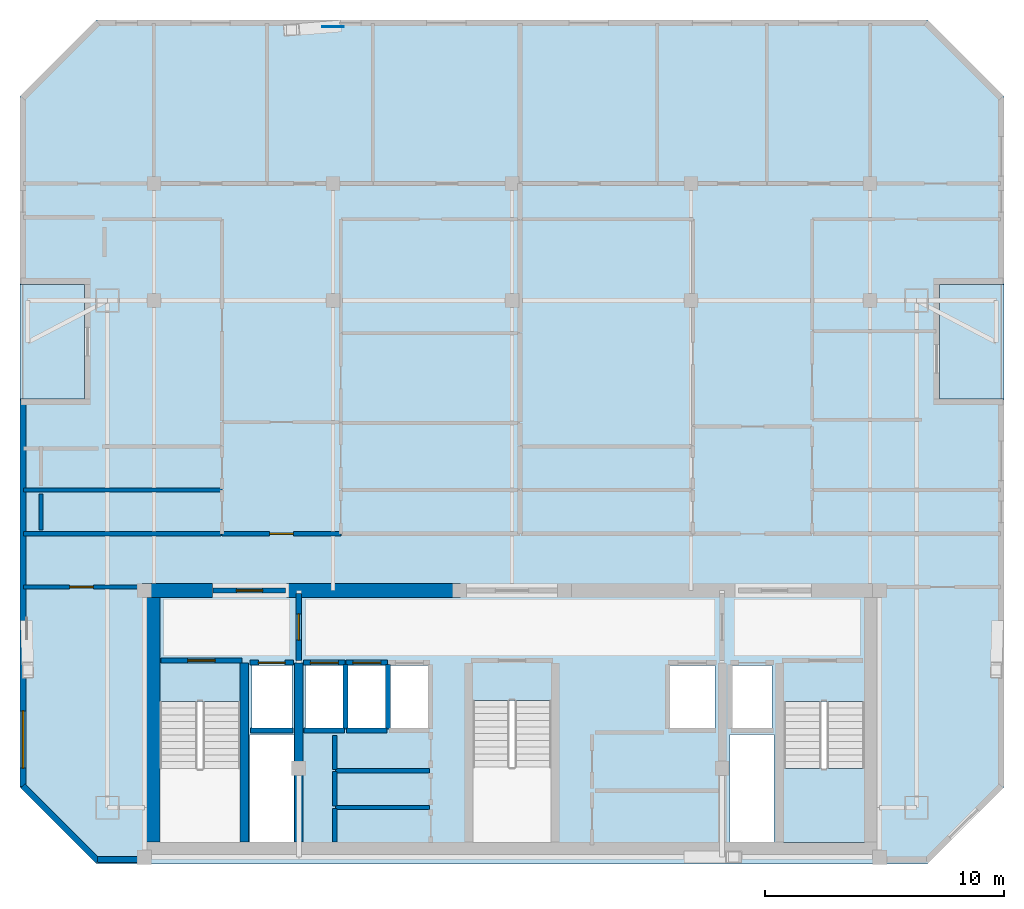
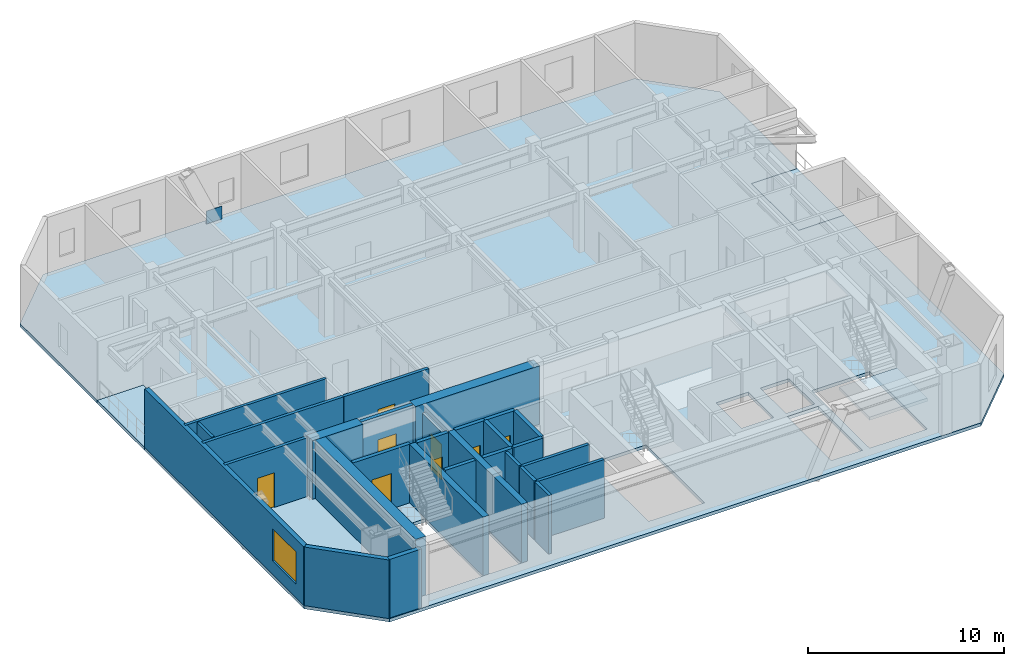
# One storey, part 2 of 7: 29 walls, 8 doors, 4 slabs, 1 plate, 1 window, 9 openings, 1 element without a shape of its own.
"""IFC4 building model written with IfcOpenShell, lengths in metres."""

from ifc_helpers import new_model, si_unit, direction, frame, frame_2d, origin, origin_2d, place, context, subcontext, project, spatial, polyline, rectangle, outline, extrude, material, layer, layer_set, type_object, element, fill, aggregate, save


model = new_model("IFC4")

# Units and contexts
model_context = context("Model", 3, precision=1e-05, world=origin(), true_north=direction((0.0, 1.0)))
body_context = subcontext(model_context, "Body", "Model", "MODEL_VIEW")
ifc_project = project(units=[si_unit("LENGTHUNIT", "METRE"), si_unit("AREAUNIT", "SQUARE_METRE"), si_unit("VOLUMEUNIT", "CUBIC_METRE"), si_unit("PLANEANGLEUNIT", "RADIAN"), si_unit("MASSUNIT", "GRAM", prefix="KILO")], contexts=[model_context])

# Site, building, storey
site_placement = place(None, origin())
site = spatial("IfcSite", under=ifc_project, at=site_placement, CompositionType="ELEMENT")
building_placement = place(site_placement, origin())
building = spatial("IfcBuilding", under=site, at=building_placement, Name="Ventersveld Concourse Tower", CompositionType="ELEMENT")
storey_placement = place(building_placement, frame((0.0, 0.0, 268.300048828125)))
storey = spatial("IfcBuildingStorey", under=building, at=storey_placement, Name="L66", CompositionType="ELEMENT", Elevation=268.300048828125)

# Plate
ifc_material_1 = material(Name="Structural steel S355J2", Category="steel")
ifc_layer_1 = layer(ifc_material_1, 0.030029296875)
ifc_layer_set_1 = layer_set([ifc_layer_1], Name="Structural steel S355J2")
plate_type = type_object("IfcPlateType", Name="PL-CAP-30", PredefinedType="USERDEFINED", material=ifc_layer_set_1)
plate_placement = place(storey_placement, frame((21.25, 35.0693359375, -0.10009765625), z_axis=(0.0, 0.0, 1.0), x_axis=(1.0, 0.0, 0.0)))
element("IfcPlate", 1, at=plate_placement, inside=storey, type_object=plate_type, Name="L66 Mega-Brace Gusset Node Plate M16-N", ObjectType="GUSSET_PLATE", PredefinedType="USERDEFINED", context=body_context, shape_type="SweptSolid", body=[
    extrude(rectangle(XDim=0.89990234375, YDim=0.030029296875, at=origin_2d()), origin(), (0.0, 0.0, 1.0), 0.89990234375),
])

# Slabs
ifc_material_2 = material(Name="Concrete C50/60", Category="concrete")
ifc_layer_2 = layer(ifc_material_2, 0.199951171875)
ifc_layer_set_2 = layer_set([ifc_layer_2], Name="Concrete C50/60")
slab_type_1 = type_object("IfcSlabType", Name="SL-FLR-200", PredefinedType="FLOOR", material=ifc_layer_set_2)
slab_1_placement = place(storey_placement, frame((0.0, 0.0, -0.199951171875)))
element("IfcSlab", 2, at=slab_1_placement, inside=storey, type_object=slab_type_1, Name="L66 Composite Floor Slab", PredefinedType="FLOOR", context=body_context, shape_type="SweptSolid", body=[
    extrude(outline(polyline([(11.33984375, 0.0), (46.16015625, 0.0), (49.360107421875, 3.199951171875), (49.360107421875, 19.474609375), (46.66015625, 19.474609375), (46.66015625, 24.274658203125), (49.360107421875, 24.274658203125), (49.360107421875, 32.1494140625), (46.16015625, 35.349365234375), (11.33984375, 35.349365234375), (8.139892578125, 32.1494140625), (8.139892578125, 24.274658203125), (10.83984375, 24.274658203125), (10.83984375, 19.474609375), (8.139892578125, 19.474609375), (8.139892578125, 3.199951171875), (11.33984375, 0.0)]), holes=[polyline([(13.97998046875, 6.794921875), (13.97998046875, 0.89990234375), (17.3798828125, 0.89990234375), (17.3798828125, 6.794921875), (13.97998046875, 6.794921875)]), polyline([(40.1201171875, 6.794921875), (40.1201171875, 0.89990234375), (43.52001953125, 0.89990234375), (43.52001953125, 6.794921875), (40.1201171875, 6.794921875)]), polyline([(27.10009765625, 6.844970703125), (27.10009765625, 0.89990234375), (30.39990234375, 0.89990234375), (30.39990234375, 6.844970703125), (27.10009765625, 6.844970703125)]), polyline([(17.85009765625, 5.699951171875), (19.530029296875, 5.699951171875), (19.530029296875, 8.300048828125), (17.85009765625, 8.300048828125), (17.85009765625, 5.699951171875)]), polyline([(37.969970703125, 5.699951171875), (39.64990234375, 5.699951171875), (39.64990234375, 8.300048828125), (37.969970703125, 8.300048828125), (37.969970703125, 5.699951171875)]), polyline([(35.35009765625, 5.699951171875), (37.25, 5.699951171875), (37.25, 8.300048828125), (35.35009765625, 8.300048828125), (35.35009765625, 5.699951171875)]), polyline([(20.090087890625, 5.699951171875), (21.68994140625, 5.699951171875), (21.68994140625, 8.300048828125), (20.090087890625, 8.300048828125), (20.090087890625, 5.699951171875)]), polyline([(21.8701171875, 5.699951171875), (23.469970703125, 5.699951171875), (23.469970703125, 8.300048828125), (21.8701171875, 8.300048828125), (21.8701171875, 5.699951171875)]), polyline([(23.64990234375, 5.699951171875), (25.25, 5.699951171875), (25.25, 8.300048828125), (23.64990234375, 8.300048828125), (23.64990234375, 5.699951171875)]), polyline([(17.780029296875, 0.919921875), (19.6201171875, 0.919921875), (19.6201171875, 5.419921875), (17.780029296875, 5.419921875), (17.780029296875, 0.919921875)]), polyline([(37.8798828125, 0.919921875), (39.719970703125, 0.919921875), (39.719970703125, 5.419921875), (37.8798828125, 5.419921875), (37.8798828125, 0.919921875)])]), origin(), (0.0, 0.0, 1.0), 0.199951171875),
])
slab_2_placement = place(storey_placement, frame((0.0, 0.0, -0.199951171875)))
element("IfcSlab", 3, at=slab_2_placement, inside=storey, type_object=slab_type_1, Name="L66 Outdoor Terrace Slab NOTCH-W", PredefinedType="FLOOR", context=body_context, shape_type="SweptSolid", body=[
    extrude(outline(polyline([(8.139892578125, 19.474609375), (10.83984375, 19.474609375), (10.83984375, 24.274658203125), (8.139892578125, 24.274658203125), (8.139892578125, 19.474609375)])), origin(), (0.0, 0.0, 1.0), 0.199951171875),
])
slab_3_placement = place(storey_placement, frame((0.0, 0.0, -0.199951171875)))
element("IfcSlab", 4, at=slab_3_placement, inside=storey, type_object=slab_type_1, Name="L66 Outdoor Terrace Slab NOTCH-E", PredefinedType="FLOOR", context=body_context, shape_type="SweptSolid", body=[
    extrude(outline(polyline([(46.66015625, 19.474609375), (49.360107421875, 19.474609375), (49.360107421875, 24.274658203125), (46.66015625, 24.274658203125), (46.66015625, 19.474609375)])), origin(), (0.0, 0.0, 1.0), 0.199951171875),
])

# Stair, slab
stair_type = type_object("IfcStairType", Name="ST-DOG-160", PredefinedType="HALF_TURN_STAIR", material=ifc_material_2)
stair_placement = place(storey_placement, origin())
stair = element("IfcStair", 5, at=stair_placement, inside=storey, type_object=stair_type, Name="L66 Protected Tower Escape Stair ST-02", PredefinedType="HALF_TURN_STAIR")
ifc_layer_3 = layer(ifc_material_2, 0.199951171875)
ifc_layer_set_3 = layer_set([ifc_layer_3], Name="Concrete C50/60")
slab_type_2 = type_object("IfcSlabType", Name="SL-LND-200", PredefinedType="LANDING", material=ifc_layer_set_3)
slab_4_placement = place(storey_placement, frame((0.0, 0.0, 1.724853515625)))
slab_4 = element("IfcSlab", 6, at=slab_4_placement, type_object=slab_type_2, Name="ST-02 landing 1", PredefinedType="LANDING", context=body_context, shape_type="SweptSolid", body=[
    extrude(outline(polyline([(40.1201171875, 4.0), (40.1201171875, 0.89990234375), (43.52001953125, 0.89990234375), (43.52001953125, 4.0), (40.1201171875, 4.0)])), origin(), (0.0, 0.0, 1.0), 0.2001953125),
])
aggregate(stair, [slab_4])

# Walls
ifc_layer_4 = layer(ifc_material_2, 0.35009765625)
ifc_layer_set_4 = layer_set([ifc_layer_4], Name="Concrete C50/60")
wall_type_1 = type_object("IfcWallType", Name="WL-CORE-350U", PredefinedType="SHEAR", material=ifc_layer_set_4)
for number, where, z_axis, x_axis, name in (
    (7, (17.5400390625, 0.919921875, 0.0), (0.0, 0.0, 1.0), (0.0, 1.0, 0.0), "L66 Core Internal Shear Web W-ST1-E"),
    (8, (19.820068359375, 0.919921875, 0.0), (0.0, 0.0, 1.0), (0.0, 1.0, 0.0), "L66 Core Internal Shear Web W-FF1-E"),
):
    element("IfcWall", number, at=place(storey_placement, frame(where, z_axis=z_axis, x_axis=x_axis)), inside=storey, type_object=wall_type_1, Name=name, PredefinedType="SHEAR", context=body_context, shape_type="SweptSolid", body=[
        extrude(rectangle(XDim=7.5, YDim=0.35009765625, at=frame_2d((3.75, 0.0))), origin(), (0.0, 0.0, 1.0), 3.64990234375),
    ])
ifc_layer_5 = layer(ifc_material_2, 0.60009765625)
ifc_layer_set_5 = layer_set([ifc_layer_5], Name="Concrete C50/60")
wall_type_2 = type_object("IfcWallType", Name="WL-CORE-600", PredefinedType="SHEAR", material=ifc_layer_set_5)
wall_1_placement = place(storey_placement, frame((13.699951171875, 0.919921875, 0.0), z_axis=(0.0, 0.0, 1.0), x_axis=(0.0, 1.0, 0.0)))
element("IfcWall", 9, at=wall_1_placement, inside=storey, type_object=wall_type_2, Name="L66 Rear Core West Shear Wall", PredefinedType="SHEAR", context=body_context, shape_type="SweptSolid", body=[
    extrude(rectangle(XDim=10.530029296875, YDim=0.60009765625, at=frame_2d((5.26513671875, 0.0))), origin(), (0.0, 0.0, 1.0), 3.64990234375),
])
wall_2_placement = place(storey_placement, frame((13.25, 11.449951171875, 0.0), z_axis=(0.0, 0.0, 1.0), x_axis=(1.0, 0.0, 0.0)))
element("IfcWall", 10, at=wall_2_placement, inside=storey, type_object=wall_type_2, Name="L66 Rear Core North Shear Wall NW", PredefinedType="SHEAR", context=body_context, shape_type="SweptSolid", body=[
    extrude(rectangle(XDim=2.949951171875, YDim=0.60009765625, at=frame_2d((1.47509765625, 0.0))), origin(), (0.0, 0.0, 1.0), 3.64990234375),
])
wall_3_placement = place(storey_placement, frame((19.300048828125, 11.449951171875, 0.0), z_axis=(0.0, 0.0, 1.0), x_axis=(1.0, 0.0, 0.0)))
element("IfcWall", 11, at=wall_3_placement, inside=storey, type_object=wall_type_2, Name="L66 Rear Core North Shear Wall NML", PredefinedType="SHEAR", context=body_context, shape_type="SweptSolid", body=[
    extrude(rectangle(XDim=7.300048828125, YDim=0.60009765625, at=frame_2d((3.64990234375, 0.0))), origin(), (0.0, 0.0, 1.0), 3.64990234375),
])
ifc_material_3 = material(Name="Fire-rated autoclaved aerated masonry blockwork", Category="masonry")
ifc_layer_6 = layer(ifc_material_3, 0.179931640625)
ifc_layer_set_6 = layer_set([ifc_layer_6], Name="Fire-rated autoclaved aerated masonry blockwork")
wall_type_3 = type_object("IfcWallType", Name="WL-CORR-180", PredefinedType="PARTITIONING", material=ifc_layer_set_6)
wall_4_placement = place(storey_placement, frame((21.360107421875, 2.360107421875, 0.0), z_axis=(0.0, 0.0, 1.0), x_axis=(1.0, 0.0, 0.0)))
element("IfcWall", 12, at=wall_4_placement, inside=storey, type_object=wall_type_3, Name="L66 Core Top Wall SP-L66-RECB1S", PredefinedType="PARTITIONING", context=body_context, shape_type="SweptSolid", body=[
    extrude(rectangle(XDim=3.93994140625, YDim=0.179931640625, at=frame_2d((1.969970703125, 0.0))), origin(), (0.0, 0.0, 1.0), 3.64990234375),
])
wall_5_placement = place(storey_placement, frame((21.320068359375, 0.909912109375, 0.0), z_axis=(0.0, 0.0, 1.0), x_axis=(0.0, 1.0, 0.0)))
element("IfcWall", 13, at=wall_5_placement, inside=storey, type_object=wall_type_3, Name="L66 Core West Wall SP-L66-RECB1S", PredefinedType="PARTITIONING", context=body_context, shape_type="SweptSolid", body=[
    extrude(rectangle(XDim=1.41015625, YDim=0.179931640625, at=frame_2d((0.705078125, 0.0))), origin(), (0.0, 0.0, 1.0), 3.64990234375),
])
wall_6_placement = place(storey_placement, frame((21.360107421875, 3.89990234375, 0.0), z_axis=(0.0, 0.0, 1.0), x_axis=(1.0, 0.0, 0.0)))
element("IfcWall", 14, at=wall_6_placement, inside=storey, type_object=wall_type_3, Name="L66 Core Top Wall SP-L66-RECB1M", PredefinedType="PARTITIONING", context=body_context, shape_type="SweptSolid", body=[
    extrude(rectangle(XDim=3.93994140625, YDim=0.179931640625, at=frame_2d((1.969970703125, 0.0))), origin(), (0.0, 0.0, 1.0), 3.64990234375),
])
wall_7_placement = place(storey_placement, frame((21.320068359375, 2.419921875, 0.0), z_axis=(0.0, 0.0, 1.0), x_axis=(0.0, 1.0, 0.0)))
element("IfcWall", 15, at=wall_7_placement, inside=storey, type_object=wall_type_3, Name="L66 Core West Wall SP-L66-RECB1M", PredefinedType="PARTITIONING", context=body_context, shape_type="SweptSolid", body=[
    extrude(rectangle(XDim=1.440185546875, YDim=0.179931640625, at=frame_2d((0.72021484375, 0.0))), origin(), (0.0, 0.0, 1.0), 3.64990234375),
])
wall_8_placement = place(storey_placement, frame((21.320068359375, 3.9599609375, 0.0), z_axis=(0.0, 0.0, 1.0), x_axis=(0.0, 1.0, 0.0)))
element("IfcWall", 16, at=wall_8_placement, inside=storey, type_object=wall_type_3, Name="L66 Core West Wall SP-L66-RECB1N", PredefinedType="PARTITIONING", context=body_context, shape_type="SweptSolid", body=[
    extrude(rectangle(XDim=1.419921875, YDim=0.179931640625, at=frame_2d((0.7099609375, 0.0))), origin(), (0.0, 0.0, 1.0), 3.64990234375),
])

# Wall, opening, door
wall_9_placement = place(storey_placement, frame((8.289306640625, 11.60009765625, 0.0), z_axis=(0.0, 0.0, 1.0), x_axis=(1.0, 0.0, 0.0)))
wall_9 = element("IfcWall", 17, at=wall_9_placement, inside=storey, type_object=wall_type_3, Name="L66 Interior Partition SP-L66-SW-GAL-SP-L66-COR", PredefinedType="PARTITIONING", context=body_context, shape_type="SweptSolid", body=[
    extrude(rectangle(XDim=4.855712890625, YDim=0.179931640625, at=frame_2d((2.427734375, 0.0))), origin(), (0.0, 0.0, 1.0), 3.64990234375),
])
opening_1_placement = place(wall_9_placement, frame((1.927734375, 0.0, 0.0)))
opening_1 = element("IfcOpeningElement", 18, at=opening_1_placement, cuts=wall_9, Name="Opening FD3", PredefinedType="OPENING", context=body_context, shape_type="SweptSolid", body=[
    extrude(rectangle(XDim=1.0, YDim=2.14990234375, at=frame_2d((0.5, 1.074951171875))), frame((0.0, 0.10009765625, 0.0), z_axis=(0.0, -1.0, 0.0), x_axis=(1.0, 0.0, 0.0)), (0.0, 0.0, 1.0), 0.199951171875),
])
ifc_material_4 = material(Name="Solid-core hardwood veneer timber", Category="wood")
door_type_1 = type_object("IfcDoorType", Name="DR-FLAT-100", OperationType="NOTDEFINED", PredefinedType="DOOR", material=ifc_material_4)
door_1_placement = place(opening_1_placement, origin())
door_1 = element("IfcDoor", 19, at=door_1_placement, inside=storey, type_object=door_type_1, Name="L66 Interior Door SP-L66-SW-GAL to SP-L66-COR (D-L66-3103)", OperationType="SINGLE_SWING_LEFT", OverallHeight=2.14990234375, OverallWidth=1.0, PredefinedType="DOOR", context=body_context, shape_type="SweptSolid", body=[
    extrude(rectangle(XDim=1.0, YDim=2.14990234375, at=frame_2d((0.5, 1.074951171875))), frame((0.0, 0.02490234375, 0.0), z_axis=(0.0, -1.0, 0.0), x_axis=(1.0, 0.0, 0.0)), (0.0, 0.0, 1.0), 0.050048828125),
])
fill(opening_1, door_1)

wall_10_placement = place(storey_placement, frame((16.596923828125, 13.830078125, 0.0), z_axis=(0.0, 0.0, 1.0), x_axis=(1.0, 0.0, 0.0)))
wall_10 = element("IfcWall", 20, at=wall_10_placement, inside=storey, type_object=wall_type_3, Name="L66 Interior Partition SP-L66-COR-SP-L66-66N1-FOY", PredefinedType="PARTITIONING", context=body_context, shape_type="SweptSolid", body=[
    extrude(rectangle(XDim=4.989990234375, YDim=0.179931640625, at=frame_2d((2.4951171875, 0.0))), origin(), (0.0, 0.0, 1.0), 3.64990234375),
])
opening_2_placement = place(wall_10_placement, frame((1.9951171875, 0.0, 0.0)))
opening_2 = element("IfcOpeningElement", 21, at=opening_2_placement, cuts=wall_10, Name="Opening FD3", PredefinedType="OPENING", context=body_context, shape_type="SweptSolid", body=[
    extrude(rectangle(XDim=1.0, YDim=2.14990234375, at=frame_2d((0.5, 1.074951171875))), frame((0.0, 0.10009765625, 0.0), z_axis=(0.0, -1.0, 0.0), x_axis=(1.0, 0.0, 0.0)), (0.0, 0.0, 1.0), 0.199951171875),
])
door_2_placement = place(opening_2_placement, origin())
door_2 = element("IfcDoor", 22, at=door_2_placement, inside=storey, type_object=door_type_1, Name="L66 Interior Door SP-L66-COR to SP-L66-66N1-FOY (FD-L66-3105)", OperationType="SINGLE_SWING_LEFT", OverallHeight=2.14990234375, OverallWidth=1.0, PredefinedType="DOOR", context=body_context, shape_type="SweptSolid", body=[
    extrude(rectangle(XDim=1.0, YDim=2.14990234375, at=frame_2d((0.5, 1.074951171875))), frame((0.0, 0.02490234375, 0.0), z_axis=(0.0, -1.0, 0.0), x_axis=(1.0, 0.0, 0.0)), (0.0, 0.0, 1.0), 0.050048828125),
])
fill(opening_2, door_2)

# Walls
wall_11_placement = place(storey_placement, frame((8.289306640625, 13.830078125, 0.0), z_axis=(0.0, 0.0, 1.0), x_axis=(1.0, 0.0, 0.0)))
element("IfcWall", 23, at=wall_11_placement, inside=storey, type_object=wall_type_3, Name="L66 Interior Partition SP-L66-COR-SP-L66-66N1-BATH", PredefinedType="PARTITIONING", context=body_context, shape_type="SweptSolid", body=[
    extrude(rectangle(XDim=8.277587890625, YDim=0.179931640625, at=frame_2d((4.138671875, 0.0))), origin(), (0.0, 0.0, 1.0), 3.64990234375),
])
ifc_layer_7 = layer(ifc_material_3, 0.219970703125)
ifc_layer_set_7 = layer_set([ifc_layer_7], Name="Fire-rated autoclaved aerated masonry blockwork")
wall_type_4 = type_object("IfcWallType", Name="WL-HOIST-220", PredefinedType="SOLIDWALL", material=ifc_layer_set_7)
wall_12_placement = place(storey_placement, frame((17.800048828125, 5.590087890625, 0.0), z_axis=(0.0, 0.0, 1.0), x_axis=(1.0, 0.0, 0.0)))
element("IfcWall", 24, at=wall_12_placement, inside=storey, type_object=wall_type_4, Name="L66 Lift Hoistway Back Wall FFL-01", PredefinedType="SOLIDWALL", context=body_context, shape_type="SweptSolid", body=[
    extrude(rectangle(XDim=1.780029296875, YDim=0.219970703125, at=frame_2d((0.89013671875, 0.0))), origin(), (0.0, 0.0, 1.0), 3.64990234375),
])

# Wall, opening, door
wall_13_placement = place(storey_placement, frame((17.780029296875, 8.429931640625, 0.0), z_axis=(0.0, 0.0, 1.0), x_axis=(1.0, 0.0, 0.0)))
wall_13 = element("IfcWall", 25, at=wall_13_placement, inside=storey, type_object=wall_type_4, Name="L66 Lift Hoistway Front Wall FFL-01", PredefinedType="SOLIDWALL", context=body_context, shape_type="SweptSolid", body=[
    extrude(rectangle(XDim=1.820068359375, YDim=0.219970703125, at=frame_2d((0.91015625, 0.0))), origin(), (0.0, 0.0, 1.0), 3.64990234375),
])
opening_3_placement = place(wall_13_placement, frame((0.35009765625, 0.0, 0.0)))
opening_3 = element("IfcOpeningElement", 26, at=opening_3_placement, cuts=wall_13, Name="Opening LD1", PredefinedType="OPENING", context=body_context, shape_type="SweptSolid", body=[
    extrude(rectangle(XDim=1.1201171875, YDim=2.25, at=frame_2d((0.56005859375, 1.125))), frame((0.0, 0.1201171875, 0.0), z_axis=(0.0, -1.0, 0.0), x_axis=(1.0, 0.0, 0.0)), (0.0, 0.0, 1.0), 0.239990234375),
])
ifc_material_5 = material(Name="Brushed stainless steel 316", Category="steel")
door_type_2 = type_object("IfcDoorType", Name="LD-FF-112", OperationType="SLIDING_TO_LEFT", PredefinedType="DOOR", material=ifc_material_5)
door_3_placement = place(opening_3_placement, origin())
door_3 = element("IfcDoor", 27, at=door_3_placement, inside=storey, type_object=door_type_2, Name="L66 Lift landing door FFL-01 (LD-L66-FFL-01)", OperationType="SLIDING_TO_RIGHT", OverallHeight=2.25, OverallWidth=1.1201171875, PredefinedType="DOOR", context=body_context, shape_type="SweptSolid", body=[
    extrude(rectangle(XDim=1.1201171875, YDim=2.25, at=frame_2d((0.56005859375, 1.125))), frame((0.0, 0.02490234375, 0.0), z_axis=(0.0, -1.0, 0.0), x_axis=(1.0, 0.0, 0.0)), (0.0, 0.0, 1.0), 0.050048828125),
])
fill(opening_3, door_3)

# Walls
wall_14_placement = place(storey_placement, frame((20.0400390625, 5.590087890625, 0.0), z_axis=(0.0, 0.0, 1.0), x_axis=(1.0, 0.0, 0.0)))
element("IfcWall", 28, at=wall_14_placement, inside=storey, type_object=wall_type_4, Name="L66 Lift Hoistway Back Wall PH-01", PredefinedType="SOLIDWALL", context=body_context, shape_type="SweptSolid", body=[
    extrude(rectangle(XDim=1.699951171875, YDim=0.219970703125, at=frame_2d((0.85009765625, 0.0))), origin(), (0.0, 0.0, 1.0), 3.64990234375),
])
wall_15_placement = place(storey_placement, frame((21.780029296875, 5.64990234375, 0.0), z_axis=(0.0, 0.0, 1.0), x_axis=(0.0, 1.0, 0.0)))
element("IfcWall", 29, at=wall_15_placement, inside=storey, type_object=wall_type_4, Name="L66 Lift Hoistway Side Wall PH-01E", PredefinedType="SOLIDWALL", context=body_context, shape_type="SweptSolid", body=[
    extrude(rectangle(XDim=2.7001953125, YDim=0.219970703125, at=frame_2d((1.35009765625, 0.0))), origin(), (0.0, 0.0, 1.0), 3.64990234375),
])

# Wall, opening, door
wall_16_placement = place(storey_placement, frame((20.02001953125, 8.429931640625, 0.0), z_axis=(0.0, 0.0, 1.0), x_axis=(1.0, 0.0, 0.0)))
wall_16 = element("IfcWall", 30, at=wall_16_placement, inside=storey, type_object=wall_type_4, Name="L66 Lift Hoistway Front Wall PH-01", PredefinedType="SOLIDWALL", context=body_context, shape_type="SweptSolid", body=[
    extrude(rectangle(XDim=1.739990234375, YDim=0.219970703125, at=frame_2d((0.8701171875, 0.0))), origin(), (0.0, 0.0, 1.0), 3.64990234375),
])
opening_4_placement = place(wall_16_placement, frame((0.280029296875, 0.0, 0.0)))
opening_4 = element("IfcOpeningElement", 31, at=opening_4_placement, cuts=wall_16, Name="Opening LD2", PredefinedType="OPENING", context=body_context, shape_type="SweptSolid", body=[
    extrude(rectangle(XDim=1.179931640625, YDim=2.199951171875, at=frame_2d((0.58984375, 1.10009765625))), frame((0.0, 0.1201171875, 0.0), z_axis=(0.0, -1.0, 0.0), x_axis=(1.0, 0.0, 0.0)), (0.0, 0.0, 1.0), 0.239990234375),
])
door_type_3 = type_object("IfcDoorType", Name="LD-PAX-118", OperationType="SLIDING_TO_LEFT", PredefinedType="DOOR", material=ifc_material_5)
door_4_placement = place(opening_4_placement, origin())
door_4 = element("IfcDoor", 32, at=door_4_placement, inside=storey, type_object=door_type_3, Name="L66 Lift landing door PH-01 (LD-L66-PH-01)", OperationType="SLIDING_TO_LEFT", OverallHeight=2.199951171875, OverallWidth=1.179931640625, PredefinedType="DOOR", context=body_context, shape_type="SweptSolid", body=[
    extrude(rectangle(XDim=1.179931640625, YDim=2.199951171875, at=frame_2d((0.58984375, 1.10009765625))), frame((0.0, 0.02490234375, 0.0), z_axis=(0.0, -1.0, 0.0), x_axis=(1.0, 0.0, 0.0)), (0.0, 0.0, 1.0), 0.050048828125),
])
fill(opening_4, door_4)

# Walls
wall_17_placement = place(storey_placement, frame((21.820068359375, 5.590087890625, 0.0), z_axis=(0.0, 0.0, 1.0), x_axis=(1.0, 0.0, 0.0)))
element("IfcWall", 33, at=wall_17_placement, inside=storey, type_object=wall_type_4, Name="L66 Lift Hoistway Back Wall PH-02", PredefinedType="SOLIDWALL", context=body_context, shape_type="SweptSolid", body=[
    extrude(rectangle(XDim=1.699951171875, YDim=0.219970703125, at=frame_2d((0.85009765625, 0.0))), origin(), (0.0, 0.0, 1.0), 3.64990234375),
])
wall_18_placement = place(storey_placement, frame((23.56005859375, 5.64990234375, 0.0), z_axis=(0.0, 0.0, 1.0), x_axis=(0.0, 1.0, 0.0)))
element("IfcWall", 34, at=wall_18_placement, inside=storey, type_object=wall_type_4, Name="L66 Lift Hoistway Side Wall PH-02E", PredefinedType="SOLIDWALL", context=body_context, shape_type="SweptSolid", body=[
    extrude(rectangle(XDim=2.7001953125, YDim=0.219970703125, at=frame_2d((1.35009765625, 0.0))), origin(), (0.0, 0.0, 1.0), 3.64990234375),
])

# Wall, opening, door
wall_19_placement = place(storey_placement, frame((21.800048828125, 8.429931640625, 0.0), z_axis=(0.0, 0.0, 1.0), x_axis=(1.0, 0.0, 0.0)))
wall_19 = element("IfcWall", 35, at=wall_19_placement, inside=storey, type_object=wall_type_4, Name="L66 Lift Hoistway Front Wall PH-02", PredefinedType="SOLIDWALL", context=body_context, shape_type="SweptSolid", body=[
    extrude(rectangle(XDim=1.739990234375, YDim=0.219970703125, at=frame_2d((0.8701171875, 0.0))), origin(), (0.0, 0.0, 1.0), 3.64990234375),
])
opening_5_placement = place(wall_19_placement, frame((0.280029296875, 0.0, 0.0)))
opening_5 = element("IfcOpeningElement", 36, at=opening_5_placement, cuts=wall_19, Name="Opening LD2", PredefinedType="OPENING", context=body_context, shape_type="SweptSolid", body=[
    extrude(rectangle(XDim=1.179931640625, YDim=2.199951171875, at=frame_2d((0.58984375, 1.10009765625))), frame((0.0, 0.1201171875, 0.0), z_axis=(0.0, -1.0, 0.0), x_axis=(1.0, 0.0, 0.0)), (0.0, 0.0, 1.0), 0.239990234375),
])
door_5_placement = place(opening_5_placement, origin())
door_5 = element("IfcDoor", 37, at=door_5_placement, inside=storey, type_object=door_type_3, Name="L66 Lift landing door PH-02 (LD-L66-PH-02)", OperationType="SLIDING_TO_RIGHT", OverallHeight=2.199951171875, OverallWidth=1.179931640625, PredefinedType="DOOR", context=body_context, shape_type="SweptSolid", body=[
    extrude(rectangle(XDim=1.179931640625, YDim=2.199951171875, at=frame_2d((0.58984375, 1.10009765625))), frame((0.0, 0.02490234375, 0.0), z_axis=(0.0, -1.0, 0.0), x_axis=(1.0, 0.0, 0.0)), (0.0, 0.0, 1.0), 0.050048828125),
])
fill(opening_5, door_5)

wall_20_placement = place(storey_placement, frame((14.0400390625, 8.52001953125, 0.0), z_axis=(0.0, 0.0, 1.0), x_axis=(1.0, 0.0, 0.0)))
wall_20 = element("IfcWall", 38, at=wall_20_placement, inside=storey, type_object=wall_type_4, Name="L66 Escape Stair ST01 Fire Wall", PredefinedType="SOLIDWALL", context=body_context, shape_type="SweptSolid", body=[
    extrude(rectangle(XDim=3.39990234375, YDim=0.219970703125, at=frame_2d((1.699951171875, 0.0))), origin(), (0.0, 0.0, 1.0), 3.64990234375),
])
opening_6_placement = place(wall_20_placement, frame((1.125, 0.0, 0.0)))
opening_6 = element("IfcOpeningElement", 39, at=opening_6_placement, cuts=wall_20, Name="Opening FD1", PredefinedType="OPENING", context=body_context, shape_type="SweptSolid", body=[
    extrude(rectangle(XDim=1.14990234375, YDim=2.199951171875, at=frame_2d((0.574951171875, 1.10009765625))), frame((0.0, 0.1201171875, 0.0), z_axis=(0.0, -1.0, 0.0), x_axis=(1.0, 0.0, 0.0)), (0.0, 0.0, 1.0), 0.239990234375),
])
ifc_material_6 = material(Name="Galvanised painted steel", Category="steel")
door_type_4 = type_object("IfcDoorType", Name="DR-STAIR-115", OperationType="NOTDEFINED", PredefinedType="DOOR", material=ifc_material_6)
door_6_placement = place(opening_6_placement, origin())
door_6 = element("IfcDoor", 40, at=door_6_placement, inside=storey, type_object=door_type_4, Name="L66 Escape Stair Door ST01 (SD-L66-3090)", OperationType="SINGLE_SWING_LEFT", OverallHeight=2.199951171875, OverallWidth=1.14990234375, PredefinedType="DOOR", context=body_context, shape_type="SweptSolid", body=[
    extrude(rectangle(XDim=1.14990234375, YDim=2.199951171875, at=frame_2d((0.574951171875, 1.10009765625))), frame((0.0, 0.02490234375, 0.0), z_axis=(0.0, -1.0, 0.0), x_axis=(1.0, 0.0, 0.0)), (0.0, 0.0, 1.0), 0.050048828125),
])
fill(opening_6, door_6)

wall_21_placement = place(storey_placement, frame((19.820068359375, 8.52001953125, 0.0), z_axis=(0.0, 0.0, 1.0), x_axis=(0.0, 1.0, 0.0)))
wall_21 = element("IfcWall", 41, at=wall_21_placement, inside=storey, type_object=wall_type_4, Name="L66 Firefighting Lobby Smoke-Stop Wall FFLW-SEP", PredefinedType="SOLIDWALL", context=body_context, shape_type="SweptSolid", body=[
    extrude(rectangle(XDim=2.800048828125, YDim=0.219970703125, at=frame_2d((1.39990234375, 0.0))), origin(), (0.0, 0.0, 1.0), 3.10546875),
])
opening_7_placement = place(wall_21_placement, frame((0.85009765625, 0.0, 0.0)))
opening_7 = element("IfcOpeningElement", 42, at=opening_7_placement, cuts=wall_21, Name="Opening FD2", PredefinedType="OPENING", context=body_context, shape_type="SweptSolid", body=[
    extrude(rectangle(XDim=1.10009765625, YDim=2.199951171875, at=frame_2d((0.550048828125, 1.10009765625))), frame((0.0, 0.1201171875, 0.0), z_axis=(0.0, -1.0, 0.0), x_axis=(1.0, 0.0, 0.0)), (0.0, 0.0, 1.0), 0.239990234375),
])
door_type_5 = type_object("IfcDoorType", Name="DR-FFL-110", OperationType="NOTDEFINED", PredefinedType="DOOR", material=ifc_material_6)
door_7_placement = place(opening_7_placement, origin())
door_7 = element("IfcDoor", 43, at=door_7_placement, inside=storey, type_object=door_type_5, Name="L66 Firefighting Lobby Door FFLW-SEP (FD-L66-3093)", OperationType="SINGLE_SWING_LEFT", OverallHeight=2.199951171875, OverallWidth=1.10009765625, PredefinedType="DOOR", context=body_context, shape_type="SweptSolid", body=[
    extrude(rectangle(XDim=1.10009765625, YDim=2.199951171875, at=frame_2d((0.550048828125, 1.10009765625))), frame((0.0, 0.02490234375, 0.0), z_axis=(0.0, -1.0, 0.0), x_axis=(1.0, 0.0, 0.0)), (0.0, 0.0, 1.0), 0.050048828125),
])
fill(opening_7, door_7)

wall_22_placement = place(storey_placement, frame((16.22998046875, 11.449951171875, 0.0), z_axis=(0.0, 0.0, 1.0), x_axis=(1.0, 0.0, 0.0)))
wall_22 = element("IfcWall", 44, at=wall_22_placement, inside=storey, type_object=wall_type_4, Name="L66 Core North Fire Portal FFLW-OUT", PredefinedType="SOLIDWALL", context=body_context, shape_type="SweptSolid", body=[
    extrude(rectangle(XDim=3.0400390625, YDim=0.219970703125, at=frame_2d((1.52001953125, 0.0))), origin(), (0.0, 0.0, 1.0), 3.64990234375),
])
opening_8_placement = place(wall_22_placement, frame((0.969970703125, 0.0, 0.0)))
opening_8 = element("IfcOpeningElement", 45, at=opening_8_placement, cuts=wall_22, Name="Opening FD2", PredefinedType="OPENING", context=body_context, shape_type="SweptSolid", body=[
    extrude(rectangle(XDim=1.10009765625, YDim=2.199951171875, at=frame_2d((0.550048828125, 1.10009765625))), frame((0.0, 0.1201171875, 0.0), z_axis=(0.0, -1.0, 0.0), x_axis=(1.0, 0.0, 0.0)), (0.0, 0.0, 1.0), 0.239990234375),
])
door_8_placement = place(opening_8_placement, origin())
door_8 = element("IfcDoor", 46, at=door_8_placement, inside=storey, type_object=door_type_5, Name="L66 Core Lobby Fire Door FFLW-OUT (FD-L66-3095)", OperationType="SINGLE_SWING_RIGHT", OverallHeight=2.199951171875, OverallWidth=1.10009765625, PredefinedType="DOOR", context=body_context, shape_type="SweptSolid", body=[
    extrude(rectangle(XDim=1.10009765625, YDim=2.199951171875, at=frame_2d((0.550048828125, 1.10009765625))), frame((0.0, 0.02490234375, 0.0), z_axis=(0.0, -1.0, 0.0), x_axis=(1.0, 0.0, 0.0)), (0.0, 0.0, 1.0), 0.050048828125),
])
fill(opening_8, door_8)

# Wall
ifc_material_7 = material(Name="Precast concrete C45/55", Category="concrete")
ifc_layer_8 = layer(ifc_material_7, 0.260009765625)
ifc_layer_set_8 = layer_set([ifc_layer_8], Name="Precast concrete C45/55")
wall_type_5 = type_object("IfcWallType", Name="WL-PREC-260", PredefinedType="SOLIDWALL", material=ifc_layer_set_8)
wall_23_placement = place(storey_placement, frame((11.3798828125, 0.179931640625, 0.0), z_axis=(0.0, 0.0, 1.0), x_axis=(1.0, 0.0, 0.0)))
element("IfcWall", 47, at=wall_23_placement, inside=storey, type_object=wall_type_5, Name="L66 South-West Flank Precast Wall", PredefinedType="SOLIDWALL", context=body_context, shape_type="SweptSolid", body=[
    extrude(rectangle(XDim=1.8701171875, YDim=0.260009765625, at=frame_2d((0.93505859375, 0.0))), origin(), (0.0, 0.0, 1.0), 3.64990234375),
])

# Wall, opening, window
wall_24_placement = place(storey_placement, frame((8.269775390625, 19.434814453125, 0.0), z_axis=(0.0, 0.0, 1.0), x_axis=(0.0, -1.0, 0.0)))
wall_24 = element("IfcWall", 48, at=wall_24_placement, inside=storey, type_object=wall_type_5, Name="L66 Highveld Precast Facade Wall E15", PredefinedType="SOLIDWALL", context=body_context, shape_type="SweptSolid", body=[
    extrude(rectangle(XDim=16.19482421875, YDim=0.260009765625, at=frame_2d((8.097412109375, 0.0))), origin(), (0.0, 0.0, 1.0), 3.64990234375),
])
opening_9_placement = place(wall_24_placement, frame((13.024658203125, 0.0, 0.85009765625)))
opening_9 = element("IfcOpeningElement", 49, at=opening_9_placement, cuts=wall_24, Name="Opening W5", PredefinedType="OPENING", context=body_context, shape_type="SweptSolid", body=[
    extrude(rectangle(XDim=2.39990234375, YDim=2.0, at=frame_2d((1.199951171875, 1.0))), frame((0.0, 0.14013671875, 0.0), z_axis=(0.0, -1.0, 0.0), x_axis=(1.0, 0.0, 0.0)), (0.0, 0.0, 1.0), 0.280029296875),
])
ifc_material_8 = material(Name="Tempered acoustic Low-E IGU", Category="glass")
window_type = type_object("IfcWindowType", Name="WIN-240x210", PartitioningType="SINGLE_PANEL", PredefinedType="WINDOW", material=ifc_material_8)
window_placement = place(opening_9_placement, origin())
window = element("IfcWindow", 50, at=window_placement, inside=storey, type_object=window_type, Name="L66 Punched Low-E Window W-0935", OverallHeight=2.0, OverallWidth=2.39990234375, PartitioningType="SINGLE_PANEL", PredefinedType="WINDOW", context=body_context, shape_type="SweptSolid", body=[
    extrude(rectangle(XDim=2.39990234375, YDim=2.0, at=frame_2d((1.199951171875, 1.0))), frame((0.0, 0.030029296875, 0.0), z_axis=(0.0, -1.0, 0.0), x_axis=(1.0, 0.0, 0.0)), (0.0, 0.0, 1.0), 0.06005859375),
])
fill(opening_9, window)

# Walls
wall_25_placement = place(storey_placement, frame((8.260009765625, 3.263671875, 0.0), z_axis=(0.0, 0.0, 1.0), x_axis=(0.707079321262, -0.707134240044, 0.0)))
element("IfcWall", 51, at=wall_25_placement, inside=storey, type_object=wall_type_5, Name="L66 Highveld Precast Facade Wall E16", PredefinedType="SOLIDWALL", context=body_context, shape_type="SweptSolid", body=[
    extrude(rectangle(XDim=4.445556640625, YDim=0.260009765625, at=frame_2d((2.22265625, 0.0))), origin(), (0.0, 0.0, 1.0), 3.64990234375),
])
ifc_material_9 = material(Name="Autoclaved aerated masonry blockwork", Category="masonry")
ifc_layer_9 = layer(ifc_material_9, 0.1650390625)
ifc_layer_set_9 = layer_set([ifc_layer_9], Name="Autoclaved aerated masonry blockwork")
wall_type_6 = type_object("IfcWallType", Name="WL-WET-165", PredefinedType="PLUMBINGWALL", material=ifc_layer_set_9)
wall_26_placement = place(storey_placement, frame((8.289306640625, 15.659912109375, 0.0), z_axis=(0.0, 0.0, 1.0), x_axis=(1.0, 0.0, 0.0)))
element("IfcWall", 52, at=wall_26_placement, inside=storey, type_object=wall_type_6, Name="L66 Interior Partition SP-L66-66N1-BATH-SP-L66-66N1-PWDL2", PredefinedType="PLUMBINGWALL", context=body_context, shape_type="SweptSolid", body=[
    extrude(rectangle(XDim=8.317626953125, YDim=0.1650390625, at=frame_2d((4.15869140625, 0.0))), origin(), (0.0, 0.0, 1.0), 3.64990234375),
])
wall_27_placement = place(storey_placement, frame((9.019775390625, 13.9951171875, 0.0), z_axis=(0.0, 0.0, 1.0), x_axis=(0.0, 1.0, 0.0)))
element("IfcWall", 53, at=wall_27_placement, inside=storey, type_object=wall_type_6, Name="L66 Room Enclosure Wall SP-L66-66N1-BATH", PredefinedType="PLUMBINGWALL", context=body_context, shape_type="SweptSolid", body=[
    extrude(rectangle(XDim=1.5, YDim=0.1650390625, at=frame_2d((0.75, 0.0))), origin(), (0.0, 0.0, 1.0), 3.64990234375),
])

save(model, "model.ifc")
